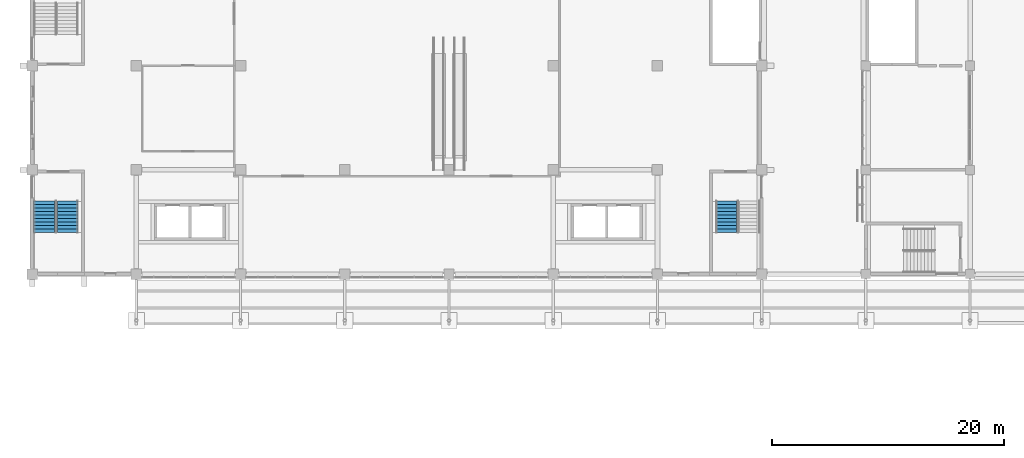
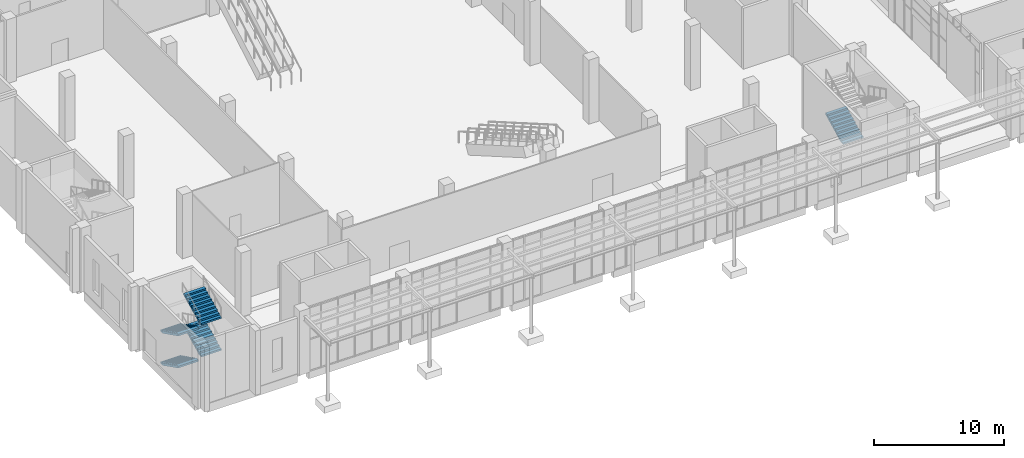
# One storey, part 67 of 86: 5 stair flights, 2 elements without a shape of their own.
"""IFC4 building model written with IfcOpenShell, lengths in metres."""

from ifc_helpers import new_model, si_unit, direction, frame, origin, place, context, subcontext, project, spatial, faceted_brep, material, type_object, element, aggregate, save


model = new_model("IFC4")

# Units and contexts
model_context = context("Model", 3, precision=1e-05, world=origin(), true_north=direction((0.0, 1.0)))
body_context = subcontext(model_context, "Body", "Model", "MODEL_VIEW")
ifc_project = project(units=[si_unit("LENGTHUNIT", "METRE"), si_unit("AREAUNIT", "SQUARE_METRE"), si_unit("VOLUMEUNIT", "CUBIC_METRE"), si_unit("PLANEANGLEUNIT", "RADIAN"), si_unit("MASSUNIT", "GRAM", prefix="KILO")], contexts=[model_context])

# Site, building, storey
site_placement = place(None, origin())
site = spatial("IfcSite", under=ifc_project, at=site_placement, CompositionType="ELEMENT")
building_placement = place(site_placement, origin())
building = spatial("IfcBuilding", under=site, at=building_placement, Name="Guidao Yard Department Store", CompositionType="ELEMENT")
storey_placement = place(building_placement, origin())
storey = spatial("IfcBuildingStorey", under=building, at=storey_placement, Name="L00", CompositionType="ELEMENT", Elevation=0.0)

# Stair, stair flight
ifc_material_1 = material(Name="Concrete C35", Category="concrete")
stair_type = type_object("IfcStairType", Name="Stair double-return four-flight 1800 wide 6.0 m rise", PredefinedType="DOUBLE_RETURN_STAIR", material=ifc_material_1)
stair_1_placement = place(storey_placement, origin())
stair_1 = element("IfcStair", 1, at=stair_1_placement, inside=storey, type_object=stair_type, Name="Stair A2 L00 to L01", PredefinedType="DOUBLE_RETURN_STAIR")
ifc_material_2 = material(Name="Concrete C35", Category="concrete")
stair_flight_type = type_object("IfcStairFlightType", Name="Stair flight RC straight 1800 wide 10 risers x 300 going C35", PredefinedType="STRAIGHT", material=ifc_material_2)
stair_flight_1_placement = place(storey_placement, frame((59.925048828125, 48.60009765625, 1.5), z_axis=(0.0, 0.0, 1.0), x_axis=(0.0, 1.0, 0.0)))
stair_flight_1 = element("IfcStairFlight", 2, at=stair_flight_1_placement, type_object=stair_flight_type, Name="SA2-L00 flight 2", NumberOfRisers=10, NumberOfTreads=9, PredefinedType="STRAIGHT", RiserHeight=0.15, TreadLength=0.3, context=body_context, shape_type="Brep", body=[
    faceted_brep([(0.0, 0.89990234375, 0.0), (0.0, 0.89990234375, 0.14990234375), (0.300048828125, 0.89990234375, 0.14990234375), (0.300048828125, 0.89990234375, 0.300048828125), (0.60009765625, 0.89990234375, 0.300048828125), (0.60009765625, 0.89990234375, 0.449951171875), (0.89990234375, 0.89990234375, 0.449951171875), (0.89990234375, 0.89990234375, 0.60009765625), (1.199951171875, 0.89990234375, 0.60009765625), (1.199951171875, 0.89990234375, 0.75), (1.5, 0.89990234375, 0.75), (1.5, 0.89990234375, 0.89990234375), (1.800048828125, 0.89990234375, 0.89990234375), (1.800048828125, 0.89990234375, 1.050048828125), (2.10009765625, 0.89990234375, 1.050048828125), (2.10009765625, 0.89990234375, 1.199951171875), (2.39990234375, 0.89990234375, 1.199951171875), (2.39990234375, 0.89990234375, 1.35009765625), (2.699951171875, 0.89990234375, 1.35009765625), (2.699951171875, 0.89990234375, 1.182373046875), (0.335205078125, 0.89990234375, 0.0), (0.335205078125, -0.89990234375, 0.0), (2.699951171875, -0.89990234375, 1.182373046875), (2.699951171875, -0.89990234375, 1.35009765625), (2.39990234375, -0.89990234375, 1.35009765625), (2.39990234375, -0.89990234375, 1.199951171875), (2.10009765625, -0.89990234375, 1.199951171875), (2.10009765625, -0.89990234375, 1.050048828125), (1.800048828125, -0.89990234375, 1.050048828125), (1.800048828125, -0.89990234375, 0.89990234375), (1.5, -0.89990234375, 0.89990234375), (1.5, -0.89990234375, 0.75), (1.199951171875, -0.89990234375, 0.75), (1.199951171875, -0.89990234375, 0.60009765625), (0.89990234375, -0.89990234375, 0.60009765625), (0.89990234375, -0.89990234375, 0.449951171875), (0.60009765625, -0.89990234375, 0.449951171875), (0.60009765625, -0.89990234375, 0.300048828125), (0.300048828125, -0.89990234375, 0.300048828125), (0.300048828125, -0.89990234375, 0.14990234375), (0.0, -0.89990234375, 0.14990234375), (0.0, -0.89990234375, 0.0), (0.0, 0.300048828125, 0.0), (0.0, 0.300048828125, 0.14990234375), (0.0, -0.300048828125, 0.0), (0.0, -0.300048828125, 0.14990234375), (0.300048828125, 0.300048828125, 0.14990234375), (0.300048828125, -0.300048828125, 0.14990234375), (0.300048828125, 0.300048828125, 0.300048828125), (0.300048828125, -0.300048828125, 0.300048828125), (0.60009765625, 0.300048828125, 0.300048828125), (0.60009765625, -0.300048828125, 0.300048828125), (0.60009765625, 0.300048828125, 0.449951171875), (0.60009765625, -0.300048828125, 0.449951171875), (0.89990234375, 0.300048828125, 0.449951171875), (0.89990234375, -0.300048828125, 0.449951171875), (0.89990234375, 0.300048828125, 0.60009765625), (0.89990234375, -0.300048828125, 0.60009765625), (1.199951171875, 0.300048828125, 0.60009765625), (1.199951171875, -0.300048828125, 0.60009765625), (1.199951171875, 0.300048828125, 0.75), (1.199951171875, -0.300048828125, 0.75), (1.5, 0.300048828125, 0.75), (1.5, -0.300048828125, 0.75), (1.5, 0.300048828125, 0.89990234375), (1.5, -0.300048828125, 0.89990234375), (1.800048828125, 0.300048828125, 0.89990234375), (1.800048828125, -0.300048828125, 0.89990234375), (1.800048828125, 0.300048828125, 1.050048828125), (1.800048828125, -0.300048828125, 1.050048828125), (2.10009765625, 0.300048828125, 1.050048828125), (2.10009765625, -0.300048828125, 1.050048828125), (2.10009765625, 0.300048828125, 1.199951171875), (2.10009765625, -0.300048828125, 1.199951171875), (2.39990234375, 0.300048828125, 1.199951171875), (2.39990234375, -0.300048828125, 1.199951171875), (2.39990234375, 0.300048828125, 1.35009765625), (2.39990234375, -0.300048828125, 1.35009765625), (2.699951171875, 0.300048828125, 1.35009765625), (2.699951171875, -0.300048828125, 1.35009765625), (2.699951171875, 0.300048828125, 1.182373046875), (2.699951171875, -0.300048828125, 1.182373046875), (0.335205078125, 0.300048828125, 0.0), (0.335205078125, -0.300048828125, 0.0)], [[[0, 1, 2, 3, 4, 5, 6, 7, 8, 9, 10, 11, 12, 13, 14, 15, 16, 17, 18, 19, 20]], [[21, 22, 23, 24, 25, 26, 27, 28, 29, 30, 31, 32, 33, 34, 35, 36, 37, 38, 39, 40, 41]], [[42, 43, 1, 0]], [[44, 45, 43, 42]], [[41, 40, 45, 44]], [[43, 46, 2, 1]], [[45, 47, 46, 43]], [[40, 39, 47, 45]], [[46, 48, 3, 2]], [[47, 49, 48, 46]], [[39, 38, 49, 47]], [[48, 50, 4, 3]], [[49, 51, 50, 48]], [[38, 37, 51, 49]], [[50, 52, 5, 4]], [[51, 53, 52, 50]], [[37, 36, 53, 51]], [[52, 54, 6, 5]], [[53, 55, 54, 52]], [[36, 35, 55, 53]], [[54, 56, 7, 6]], [[55, 57, 56, 54]], [[35, 34, 57, 55]], [[56, 58, 8, 7]], [[57, 59, 58, 56]], [[34, 33, 59, 57]], [[58, 60, 9, 8]], [[59, 61, 60, 58]], [[33, 32, 61, 59]], [[60, 62, 10, 9]], [[61, 63, 62, 60]], [[32, 31, 63, 61]], [[62, 64, 11, 10]], [[63, 65, 64, 62]], [[31, 30, 65, 63]], [[64, 66, 12, 11]], [[65, 67, 66, 64]], [[30, 29, 67, 65]], [[66, 68, 13, 12]], [[67, 69, 68, 66]], [[29, 28, 69, 67]], [[68, 70, 14, 13]], [[69, 71, 70, 68]], [[28, 27, 71, 69]], [[70, 72, 15, 14]], [[71, 73, 72, 70]], [[27, 26, 73, 71]], [[72, 74, 16, 15]], [[73, 75, 74, 72]], [[26, 25, 75, 73]], [[74, 76, 17, 16]], [[75, 77, 76, 74]], [[25, 24, 77, 75]], [[76, 78, 18, 17]], [[77, 79, 78, 76]], [[24, 23, 79, 77]], [[78, 80, 19, 18]], [[79, 81, 80, 78]], [[23, 22, 81, 79]], [[80, 82, 20, 19]], [[81, 83, 82, 80]], [[22, 21, 83, 81]], [[82, 42, 0, 20]], [[83, 44, 42, 82]], [[21, 41, 44, 83]]]),
])
aggregate(stair_1, [stair_flight_1])

# Stair, stair flights
stair_2_placement = place(storey_placement, origin())
stair_2 = element("IfcStair", 3, at=stair_2_placement, inside=storey, type_object=stair_type, Name="Stair A8 L00 to L01", PredefinedType="DOUBLE_RETURN_STAIR")
stair_flight_2_placement = place(storey_placement, frame((1.02490234375, 51.300048828125, 0.0), z_axis=(0.0, 0.0, 1.0), x_axis=(0.0, -1.0, 0.0)))
stair_flight_2 = element("IfcStairFlight", 4, at=stair_flight_2_placement, type_object=stair_flight_type, Name="SA8-L00 flight 1", NumberOfRisers=10, NumberOfTreads=9, PredefinedType="STRAIGHT", RiserHeight=0.15, TreadLength=0.3, context=body_context, shape_type="Brep", body=[
    faceted_brep([(0.0, 0.89990234375, 0.0), (0.0, 0.89990234375, 0.14990234375), (0.300048828125, 0.89990234375, 0.14990234375), (0.300048828125, 0.89990234375, 0.300048828125), (0.60009765625, 0.89990234375, 0.300048828125), (0.60009765625, 0.89990234375, 0.449951171875), (0.89990234375, 0.89990234375, 0.449951171875), (0.89990234375, 0.89990234375, 0.60009765625), (1.199951171875, 0.89990234375, 0.60009765625), (1.199951171875, 0.89990234375, 0.75), (1.5, 0.89990234375, 0.75), (1.5, 0.89990234375, 0.89990234375), (1.800048828125, 0.89990234375, 0.89990234375), (1.800048828125, 0.89990234375, 1.050048828125), (2.10009765625, 0.89990234375, 1.050048828125), (2.10009765625, 0.89990234375, 1.199951171875), (2.39990234375, 0.89990234375, 1.199951171875), (2.39990234375, 0.89990234375, 1.35009765625), (2.699951171875, 0.89990234375, 1.35009765625), (2.699951171875, 0.89990234375, 1.182373046875), (0.335205078125, 0.89990234375, 0.0), (0.335205078125, -0.89990234375, 0.0), (2.699951171875, -0.89990234375, 1.182373046875), (2.699951171875, -0.89990234375, 1.35009765625), (2.39990234375, -0.89990234375, 1.35009765625), (2.39990234375, -0.89990234375, 1.199951171875), (2.10009765625, -0.89990234375, 1.199951171875), (2.10009765625, -0.89990234375, 1.050048828125), (1.800048828125, -0.89990234375, 1.050048828125), (1.800048828125, -0.89990234375, 0.89990234375), (1.5, -0.89990234375, 0.89990234375), (1.5, -0.89990234375, 0.75), (1.199951171875, -0.89990234375, 0.75), (1.199951171875, -0.89990234375, 0.60009765625), (0.89990234375, -0.89990234375, 0.60009765625), (0.89990234375, -0.89990234375, 0.449951171875), (0.60009765625, -0.89990234375, 0.449951171875), (0.60009765625, -0.89990234375, 0.300048828125), (0.300048828125, -0.89990234375, 0.300048828125), (0.300048828125, -0.89990234375, 0.14990234375), (0.0, -0.89990234375, 0.14990234375), (0.0, -0.89990234375, 0.0), (0.0, 0.300048828125, 0.0), (0.0, 0.300048828125, 0.14990234375), (0.0, -0.300048828125, 0.0), (0.0, -0.300048828125, 0.14990234375), (0.300048828125, 0.300048828125, 0.14990234375), (0.300048828125, -0.300048828125, 0.14990234375), (0.300048828125, 0.300048828125, 0.300048828125), (0.300048828125, -0.300048828125, 0.300048828125), (0.60009765625, 0.300048828125, 0.300048828125), (0.60009765625, -0.300048828125, 0.300048828125), (0.60009765625, 0.300048828125, 0.449951171875), (0.60009765625, -0.300048828125, 0.449951171875), (0.89990234375, 0.300048828125, 0.449951171875), (0.89990234375, -0.300048828125, 0.449951171875), (0.89990234375, 0.300048828125, 0.60009765625), (0.89990234375, -0.300048828125, 0.60009765625), (1.199951171875, 0.300048828125, 0.60009765625), (1.199951171875, -0.300048828125, 0.60009765625), (1.199951171875, 0.300048828125, 0.75), (1.199951171875, -0.300048828125, 0.75), (1.5, 0.300048828125, 0.75), (1.5, -0.300048828125, 0.75), (1.5, 0.300048828125, 0.89990234375), (1.5, -0.300048828125, 0.89990234375), (1.800048828125, 0.300048828125, 0.89990234375), (1.800048828125, -0.300048828125, 0.89990234375), (1.800048828125, 0.300048828125, 1.050048828125), (1.800048828125, -0.300048828125, 1.050048828125), (2.10009765625, 0.300048828125, 1.050048828125), (2.10009765625, -0.300048828125, 1.050048828125), (2.10009765625, 0.300048828125, 1.199951171875), (2.10009765625, -0.300048828125, 1.199951171875), (2.39990234375, 0.300048828125, 1.199951171875), (2.39990234375, -0.300048828125, 1.199951171875), (2.39990234375, 0.300048828125, 1.35009765625), (2.39990234375, -0.300048828125, 1.35009765625), (2.699951171875, 0.300048828125, 1.35009765625), (2.699951171875, -0.300048828125, 1.35009765625), (2.699951171875, 0.300048828125, 1.182373046875), (2.699951171875, -0.300048828125, 1.182373046875), (0.335205078125, 0.300048828125, 0.0), (0.335205078125, -0.300048828125, 0.0)], [[[0, 1, 2, 3, 4, 5, 6, 7, 8, 9, 10, 11, 12, 13, 14, 15, 16, 17, 18, 19, 20]], [[21, 22, 23, 24, 25, 26, 27, 28, 29, 30, 31, 32, 33, 34, 35, 36, 37, 38, 39, 40, 41]], [[42, 43, 1, 0]], [[44, 45, 43, 42]], [[41, 40, 45, 44]], [[43, 46, 2, 1]], [[45, 47, 46, 43]], [[40, 39, 47, 45]], [[46, 48, 3, 2]], [[47, 49, 48, 46]], [[39, 38, 49, 47]], [[48, 50, 4, 3]], [[49, 51, 50, 48]], [[38, 37, 51, 49]], [[50, 52, 5, 4]], [[51, 53, 52, 50]], [[37, 36, 53, 51]], [[52, 54, 6, 5]], [[53, 55, 54, 52]], [[36, 35, 55, 53]], [[54, 56, 7, 6]], [[55, 57, 56, 54]], [[35, 34, 57, 55]], [[56, 58, 8, 7]], [[57, 59, 58, 56]], [[34, 33, 59, 57]], [[58, 60, 9, 8]], [[59, 61, 60, 58]], [[33, 32, 61, 59]], [[60, 62, 10, 9]], [[61, 63, 62, 60]], [[32, 31, 63, 61]], [[62, 64, 11, 10]], [[63, 65, 64, 62]], [[31, 30, 65, 63]], [[64, 66, 12, 11]], [[65, 67, 66, 64]], [[30, 29, 67, 65]], [[66, 68, 13, 12]], [[67, 69, 68, 66]], [[29, 28, 69, 67]], [[68, 70, 14, 13]], [[69, 71, 70, 68]], [[28, 27, 71, 69]], [[70, 72, 15, 14]], [[71, 73, 72, 70]], [[27, 26, 73, 71]], [[72, 74, 16, 15]], [[73, 75, 74, 72]], [[26, 25, 75, 73]], [[74, 76, 17, 16]], [[75, 77, 76, 74]], [[25, 24, 77, 75]], [[76, 78, 18, 17]], [[77, 79, 78, 76]], [[24, 23, 79, 77]], [[78, 80, 19, 18]], [[79, 81, 80, 78]], [[23, 22, 81, 79]], [[80, 82, 20, 19]], [[81, 83, 82, 80]], [[22, 21, 83, 81]], [[82, 42, 0, 20]], [[83, 44, 42, 82]], [[21, 41, 44, 83]]]),
])
stair_flight_3_placement = place(storey_placement, frame((3.074951171875, 48.60009765625, 1.5), z_axis=(0.0, 0.0, 1.0), x_axis=(0.0, 1.0, 0.0)))
stair_flight_3 = element("IfcStairFlight", 5, at=stair_flight_3_placement, type_object=stair_flight_type, Name="SA8-L00 flight 2", NumberOfRisers=10, NumberOfTreads=9, PredefinedType="STRAIGHT", RiserHeight=0.15, TreadLength=0.3, context=body_context, shape_type="Brep", body=[
    faceted_brep([(0.0, 0.89990234375, 0.0), (0.0, 0.89990234375, 0.14990234375), (0.300048828125, 0.89990234375, 0.14990234375), (0.300048828125, 0.89990234375, 0.300048828125), (0.60009765625, 0.89990234375, 0.300048828125), (0.60009765625, 0.89990234375, 0.449951171875), (0.89990234375, 0.89990234375, 0.449951171875), (0.89990234375, 0.89990234375, 0.60009765625), (1.199951171875, 0.89990234375, 0.60009765625), (1.199951171875, 0.89990234375, 0.75), (1.5, 0.89990234375, 0.75), (1.5, 0.89990234375, 0.89990234375), (1.800048828125, 0.89990234375, 0.89990234375), (1.800048828125, 0.89990234375, 1.050048828125), (2.10009765625, 0.89990234375, 1.050048828125), (2.10009765625, 0.89990234375, 1.199951171875), (2.39990234375, 0.89990234375, 1.199951171875), (2.39990234375, 0.89990234375, 1.35009765625), (2.699951171875, 0.89990234375, 1.35009765625), (2.699951171875, 0.89990234375, 1.182373046875), (0.335205078125, 0.89990234375, 0.0), (0.335205078125, -0.89990234375, 0.0), (2.699951171875, -0.89990234375, 1.182373046875), (2.699951171875, -0.89990234375, 1.35009765625), (2.39990234375, -0.89990234375, 1.35009765625), (2.39990234375, -0.89990234375, 1.199951171875), (2.10009765625, -0.89990234375, 1.199951171875), (2.10009765625, -0.89990234375, 1.050048828125), (1.800048828125, -0.89990234375, 1.050048828125), (1.800048828125, -0.89990234375, 0.89990234375), (1.5, -0.89990234375, 0.89990234375), (1.5, -0.89990234375, 0.75), (1.199951171875, -0.89990234375, 0.75), (1.199951171875, -0.89990234375, 0.60009765625), (0.89990234375, -0.89990234375, 0.60009765625), (0.89990234375, -0.89990234375, 0.449951171875), (0.60009765625, -0.89990234375, 0.449951171875), (0.60009765625, -0.89990234375, 0.300048828125), (0.300048828125, -0.89990234375, 0.300048828125), (0.300048828125, -0.89990234375, 0.14990234375), (0.0, -0.89990234375, 0.14990234375), (0.0, -0.89990234375, 0.0), (0.0, 0.300048828125, 0.0), (0.0, 0.300048828125, 0.14990234375), (0.0, -0.300048828125, 0.0), (0.0, -0.300048828125, 0.14990234375), (0.300048828125, 0.300048828125, 0.14990234375), (0.300048828125, -0.300048828125, 0.14990234375), (0.300048828125, 0.300048828125, 0.300048828125), (0.300048828125, -0.300048828125, 0.300048828125), (0.60009765625, 0.300048828125, 0.300048828125), (0.60009765625, -0.300048828125, 0.300048828125), (0.60009765625, 0.300048828125, 0.449951171875), (0.60009765625, -0.300048828125, 0.449951171875), (0.89990234375, 0.300048828125, 0.449951171875), (0.89990234375, -0.300048828125, 0.449951171875), (0.89990234375, 0.300048828125, 0.60009765625), (0.89990234375, -0.300048828125, 0.60009765625), (1.199951171875, 0.300048828125, 0.60009765625), (1.199951171875, -0.300048828125, 0.60009765625), (1.199951171875, 0.300048828125, 0.75), (1.199951171875, -0.300048828125, 0.75), (1.5, 0.300048828125, 0.75), (1.5, -0.300048828125, 0.75), (1.5, 0.300048828125, 0.89990234375), (1.5, -0.300048828125, 0.89990234375), (1.800048828125, 0.300048828125, 0.89990234375), (1.800048828125, -0.300048828125, 0.89990234375), (1.800048828125, 0.300048828125, 1.050048828125), (1.800048828125, -0.300048828125, 1.050048828125), (2.10009765625, 0.300048828125, 1.050048828125), (2.10009765625, -0.300048828125, 1.050048828125), (2.10009765625, 0.300048828125, 1.199951171875), (2.10009765625, -0.300048828125, 1.199951171875), (2.39990234375, 0.300048828125, 1.199951171875), (2.39990234375, -0.300048828125, 1.199951171875), (2.39990234375, 0.300048828125, 1.35009765625), (2.39990234375, -0.300048828125, 1.35009765625), (2.699951171875, 0.300048828125, 1.35009765625), (2.699951171875, -0.300048828125, 1.35009765625), (2.699951171875, 0.300048828125, 1.182373046875), (2.699951171875, -0.300048828125, 1.182373046875), (0.335205078125, 0.300048828125, 0.0), (0.335205078125, -0.300048828125, 0.0)], [[[0, 1, 2, 3, 4, 5, 6, 7, 8, 9, 10, 11, 12, 13, 14, 15, 16, 17, 18, 19, 20]], [[21, 22, 23, 24, 25, 26, 27, 28, 29, 30, 31, 32, 33, 34, 35, 36, 37, 38, 39, 40, 41]], [[42, 43, 1, 0]], [[44, 45, 43, 42]], [[41, 40, 45, 44]], [[43, 46, 2, 1]], [[45, 47, 46, 43]], [[40, 39, 47, 45]], [[46, 48, 3, 2]], [[47, 49, 48, 46]], [[39, 38, 49, 47]], [[48, 50, 4, 3]], [[49, 51, 50, 48]], [[38, 37, 51, 49]], [[50, 52, 5, 4]], [[51, 53, 52, 50]], [[37, 36, 53, 51]], [[52, 54, 6, 5]], [[53, 55, 54, 52]], [[36, 35, 55, 53]], [[54, 56, 7, 6]], [[55, 57, 56, 54]], [[35, 34, 57, 55]], [[56, 58, 8, 7]], [[57, 59, 58, 56]], [[34, 33, 59, 57]], [[58, 60, 9, 8]], [[59, 61, 60, 58]], [[33, 32, 61, 59]], [[60, 62, 10, 9]], [[61, 63, 62, 60]], [[32, 31, 63, 61]], [[62, 64, 11, 10]], [[63, 65, 64, 62]], [[31, 30, 65, 63]], [[64, 66, 12, 11]], [[65, 67, 66, 64]], [[30, 29, 67, 65]], [[66, 68, 13, 12]], [[67, 69, 68, 66]], [[29, 28, 69, 67]], [[68, 70, 14, 13]], [[69, 71, 70, 68]], [[28, 27, 71, 69]], [[70, 72, 15, 14]], [[71, 73, 72, 70]], [[27, 26, 73, 71]], [[72, 74, 16, 15]], [[73, 75, 74, 72]], [[26, 25, 75, 73]], [[74, 76, 17, 16]], [[75, 77, 76, 74]], [[25, 24, 77, 75]], [[76, 78, 18, 17]], [[77, 79, 78, 76]], [[24, 23, 79, 77]], [[78, 80, 19, 18]], [[79, 81, 80, 78]], [[23, 22, 81, 79]], [[80, 82, 20, 19]], [[81, 83, 82, 80]], [[22, 21, 83, 81]], [[82, 42, 0, 20]], [[83, 44, 42, 82]], [[21, 41, 44, 83]]]),
])
stair_flight_4_placement = place(storey_placement, frame((1.02490234375, 51.300048828125, 3.0), z_axis=(0.0, 0.0, 1.0), x_axis=(0.0, -1.0, 0.0)))
stair_flight_4 = element("IfcStairFlight", 6, at=stair_flight_4_placement, type_object=stair_flight_type, Name="SA8-L00 flight 3", NumberOfRisers=10, NumberOfTreads=9, PredefinedType="STRAIGHT", RiserHeight=0.15, TreadLength=0.3, context=body_context, shape_type="Brep", body=[
    faceted_brep([(0.0, 0.89990234375, 0.0), (0.0, 0.89990234375, 0.14990234375), (0.300048828125, 0.89990234375, 0.14990234375), (0.300048828125, 0.89990234375, 0.300048828125), (0.60009765625, 0.89990234375, 0.300048828125), (0.60009765625, 0.89990234375, 0.449951171875), (0.89990234375, 0.89990234375, 0.449951171875), (0.89990234375, 0.89990234375, 0.60009765625), (1.199951171875, 0.89990234375, 0.60009765625), (1.199951171875, 0.89990234375, 0.75), (1.5, 0.89990234375, 0.75), (1.5, 0.89990234375, 0.89990234375), (1.800048828125, 0.89990234375, 0.89990234375), (1.800048828125, 0.89990234375, 1.050048828125), (2.10009765625, 0.89990234375, 1.050048828125), (2.10009765625, 0.89990234375, 1.199951171875), (2.39990234375, 0.89990234375, 1.199951171875), (2.39990234375, 0.89990234375, 1.35009765625), (2.699951171875, 0.89990234375, 1.35009765625), (2.699951171875, 0.89990234375, 1.182373046875), (0.335205078125, 0.89990234375, 0.0), (0.335205078125, -0.89990234375, 0.0), (2.699951171875, -0.89990234375, 1.182373046875), (2.699951171875, -0.89990234375, 1.35009765625), (2.39990234375, -0.89990234375, 1.35009765625), (2.39990234375, -0.89990234375, 1.199951171875), (2.10009765625, -0.89990234375, 1.199951171875), (2.10009765625, -0.89990234375, 1.050048828125), (1.800048828125, -0.89990234375, 1.050048828125), (1.800048828125, -0.89990234375, 0.89990234375), (1.5, -0.89990234375, 0.89990234375), (1.5, -0.89990234375, 0.75), (1.199951171875, -0.89990234375, 0.75), (1.199951171875, -0.89990234375, 0.60009765625), (0.89990234375, -0.89990234375, 0.60009765625), (0.89990234375, -0.89990234375, 0.449951171875), (0.60009765625, -0.89990234375, 0.449951171875), (0.60009765625, -0.89990234375, 0.300048828125), (0.300048828125, -0.89990234375, 0.300048828125), (0.300048828125, -0.89990234375, 0.14990234375), (0.0, -0.89990234375, 0.14990234375), (0.0, -0.89990234375, 0.0), (0.0, 0.300048828125, 0.0), (0.0, 0.300048828125, 0.14990234375), (0.0, -0.300048828125, 0.0), (0.0, -0.300048828125, 0.14990234375), (0.300048828125, 0.300048828125, 0.14990234375), (0.300048828125, -0.300048828125, 0.14990234375), (0.300048828125, 0.300048828125, 0.300048828125), (0.300048828125, -0.300048828125, 0.300048828125), (0.60009765625, 0.300048828125, 0.300048828125), (0.60009765625, -0.300048828125, 0.300048828125), (0.60009765625, 0.300048828125, 0.449951171875), (0.60009765625, -0.300048828125, 0.449951171875), (0.89990234375, 0.300048828125, 0.449951171875), (0.89990234375, -0.300048828125, 0.449951171875), (0.89990234375, 0.300048828125, 0.60009765625), (0.89990234375, -0.300048828125, 0.60009765625), (1.199951171875, 0.300048828125, 0.60009765625), (1.199951171875, -0.300048828125, 0.60009765625), (1.199951171875, 0.300048828125, 0.75), (1.199951171875, -0.300048828125, 0.75), (1.5, 0.300048828125, 0.75), (1.5, -0.300048828125, 0.75), (1.5, 0.300048828125, 0.89990234375), (1.5, -0.300048828125, 0.89990234375), (1.800048828125, 0.300048828125, 0.89990234375), (1.800048828125, -0.300048828125, 0.89990234375), (1.800048828125, 0.300048828125, 1.050048828125), (1.800048828125, -0.300048828125, 1.050048828125), (2.10009765625, 0.300048828125, 1.050048828125), (2.10009765625, -0.300048828125, 1.050048828125), (2.10009765625, 0.300048828125, 1.199951171875), (2.10009765625, -0.300048828125, 1.199951171875), (2.39990234375, 0.300048828125, 1.199951171875), (2.39990234375, -0.300048828125, 1.199951171875), (2.39990234375, 0.300048828125, 1.35009765625), (2.39990234375, -0.300048828125, 1.35009765625), (2.699951171875, 0.300048828125, 1.35009765625), (2.699951171875, -0.300048828125, 1.35009765625), (2.699951171875, 0.300048828125, 1.182373046875), (2.699951171875, -0.300048828125, 1.182373046875), (0.335205078125, 0.300048828125, 0.0), (0.335205078125, -0.300048828125, 0.0)], [[[0, 1, 2, 3, 4, 5, 6, 7, 8, 9, 10, 11, 12, 13, 14, 15, 16, 17, 18, 19, 20]], [[21, 22, 23, 24, 25, 26, 27, 28, 29, 30, 31, 32, 33, 34, 35, 36, 37, 38, 39, 40, 41]], [[42, 43, 1, 0]], [[44, 45, 43, 42]], [[41, 40, 45, 44]], [[43, 46, 2, 1]], [[45, 47, 46, 43]], [[40, 39, 47, 45]], [[46, 48, 3, 2]], [[47, 49, 48, 46]], [[39, 38, 49, 47]], [[48, 50, 4, 3]], [[49, 51, 50, 48]], [[38, 37, 51, 49]], [[50, 52, 5, 4]], [[51, 53, 52, 50]], [[37, 36, 53, 51]], [[52, 54, 6, 5]], [[53, 55, 54, 52]], [[36, 35, 55, 53]], [[54, 56, 7, 6]], [[55, 57, 56, 54]], [[35, 34, 57, 55]], [[56, 58, 8, 7]], [[57, 59, 58, 56]], [[34, 33, 59, 57]], [[58, 60, 9, 8]], [[59, 61, 60, 58]], [[33, 32, 61, 59]], [[60, 62, 10, 9]], [[61, 63, 62, 60]], [[32, 31, 63, 61]], [[62, 64, 11, 10]], [[63, 65, 64, 62]], [[31, 30, 65, 63]], [[64, 66, 12, 11]], [[65, 67, 66, 64]], [[30, 29, 67, 65]], [[66, 68, 13, 12]], [[67, 69, 68, 66]], [[29, 28, 69, 67]], [[68, 70, 14, 13]], [[69, 71, 70, 68]], [[28, 27, 71, 69]], [[70, 72, 15, 14]], [[71, 73, 72, 70]], [[27, 26, 73, 71]], [[72, 74, 16, 15]], [[73, 75, 74, 72]], [[26, 25, 75, 73]], [[74, 76, 17, 16]], [[75, 77, 76, 74]], [[25, 24, 77, 75]], [[76, 78, 18, 17]], [[77, 79, 78, 76]], [[24, 23, 79, 77]], [[78, 80, 19, 18]], [[79, 81, 80, 78]], [[23, 22, 81, 79]], [[80, 82, 20, 19]], [[81, 83, 82, 80]], [[22, 21, 83, 81]], [[82, 42, 0, 20]], [[83, 44, 42, 82]], [[21, 41, 44, 83]]]),
])
stair_flight_5_placement = place(storey_placement, frame((3.074951171875, 48.60009765625, 4.5), z_axis=(0.0, 0.0, 1.0), x_axis=(0.0, 1.0, 0.0)))
stair_flight_5 = element("IfcStairFlight", 7, at=stair_flight_5_placement, type_object=stair_flight_type, Name="SA8-L00 flight 4", NumberOfRisers=10, NumberOfTreads=9, PredefinedType="STRAIGHT", RiserHeight=0.15, TreadLength=0.3, context=body_context, shape_type="Brep", body=[
    faceted_brep([(0.0, 0.89990234375, 0.0), (0.0, 0.89990234375, 0.14990234375), (0.300048828125, 0.89990234375, 0.14990234375), (0.300048828125, 0.89990234375, 0.300048828125), (0.60009765625, 0.89990234375, 0.300048828125), (0.60009765625, 0.89990234375, 0.449951171875), (0.89990234375, 0.89990234375, 0.449951171875), (0.89990234375, 0.89990234375, 0.60009765625), (1.199951171875, 0.89990234375, 0.60009765625), (1.199951171875, 0.89990234375, 0.75), (1.5, 0.89990234375, 0.75), (1.5, 0.89990234375, 0.89990234375), (1.800048828125, 0.89990234375, 0.89990234375), (1.800048828125, 0.89990234375, 1.050048828125), (2.10009765625, 0.89990234375, 1.050048828125), (2.10009765625, 0.89990234375, 1.199951171875), (2.39990234375, 0.89990234375, 1.199951171875), (2.39990234375, 0.89990234375, 1.35009765625), (2.699951171875, 0.89990234375, 1.35009765625), (2.699951171875, 0.89990234375, 1.182373046875), (0.335205078125, 0.89990234375, 0.0), (0.335205078125, -0.89990234375, 0.0), (2.699951171875, -0.89990234375, 1.182373046875), (2.699951171875, -0.89990234375, 1.35009765625), (2.39990234375, -0.89990234375, 1.35009765625), (2.39990234375, -0.89990234375, 1.199951171875), (2.10009765625, -0.89990234375, 1.199951171875), (2.10009765625, -0.89990234375, 1.050048828125), (1.800048828125, -0.89990234375, 1.050048828125), (1.800048828125, -0.89990234375, 0.89990234375), (1.5, -0.89990234375, 0.89990234375), (1.5, -0.89990234375, 0.75), (1.199951171875, -0.89990234375, 0.75), (1.199951171875, -0.89990234375, 0.60009765625), (0.89990234375, -0.89990234375, 0.60009765625), (0.89990234375, -0.89990234375, 0.449951171875), (0.60009765625, -0.89990234375, 0.449951171875), (0.60009765625, -0.89990234375, 0.300048828125), (0.300048828125, -0.89990234375, 0.300048828125), (0.300048828125, -0.89990234375, 0.14990234375), (0.0, -0.89990234375, 0.14990234375), (0.0, -0.89990234375, 0.0), (0.0, 0.300048828125, 0.0), (0.0, 0.300048828125, 0.14990234375), (0.0, -0.300048828125, 0.0), (0.0, -0.300048828125, 0.14990234375), (0.300048828125, 0.300048828125, 0.14990234375), (0.300048828125, -0.300048828125, 0.14990234375), (0.300048828125, 0.300048828125, 0.300048828125), (0.300048828125, -0.300048828125, 0.300048828125), (0.60009765625, 0.300048828125, 0.300048828125), (0.60009765625, -0.300048828125, 0.300048828125), (0.60009765625, 0.300048828125, 0.449951171875), (0.60009765625, -0.300048828125, 0.449951171875), (0.89990234375, 0.300048828125, 0.449951171875), (0.89990234375, -0.300048828125, 0.449951171875), (0.89990234375, 0.300048828125, 0.60009765625), (0.89990234375, -0.300048828125, 0.60009765625), (1.199951171875, 0.300048828125, 0.60009765625), (1.199951171875, -0.300048828125, 0.60009765625), (1.199951171875, 0.300048828125, 0.75), (1.199951171875, -0.300048828125, 0.75), (1.5, 0.300048828125, 0.75), (1.5, -0.300048828125, 0.75), (1.5, 0.300048828125, 0.89990234375), (1.5, -0.300048828125, 0.89990234375), (1.800048828125, 0.300048828125, 0.89990234375), (1.800048828125, -0.300048828125, 0.89990234375), (1.800048828125, 0.300048828125, 1.050048828125), (1.800048828125, -0.300048828125, 1.050048828125), (2.10009765625, 0.300048828125, 1.050048828125), (2.10009765625, -0.300048828125, 1.050048828125), (2.10009765625, 0.300048828125, 1.199951171875), (2.10009765625, -0.300048828125, 1.199951171875), (2.39990234375, 0.300048828125, 1.199951171875), (2.39990234375, -0.300048828125, 1.199951171875), (2.39990234375, 0.300048828125, 1.35009765625), (2.39990234375, -0.300048828125, 1.35009765625), (2.699951171875, 0.300048828125, 1.35009765625), (2.699951171875, -0.300048828125, 1.35009765625), (2.699951171875, 0.300048828125, 1.182373046875), (2.699951171875, -0.300048828125, 1.182373046875), (0.335205078125, 0.300048828125, 0.0), (0.335205078125, -0.300048828125, 0.0)], [[[0, 1, 2, 3, 4, 5, 6, 7, 8, 9, 10, 11, 12, 13, 14, 15, 16, 17, 18, 19, 20]], [[21, 22, 23, 24, 25, 26, 27, 28, 29, 30, 31, 32, 33, 34, 35, 36, 37, 38, 39, 40, 41]], [[42, 43, 1, 0]], [[44, 45, 43, 42]], [[41, 40, 45, 44]], [[43, 46, 2, 1]], [[45, 47, 46, 43]], [[40, 39, 47, 45]], [[46, 48, 3, 2]], [[47, 49, 48, 46]], [[39, 38, 49, 47]], [[48, 50, 4, 3]], [[49, 51, 50, 48]], [[38, 37, 51, 49]], [[50, 52, 5, 4]], [[51, 53, 52, 50]], [[37, 36, 53, 51]], [[52, 54, 6, 5]], [[53, 55, 54, 52]], [[36, 35, 55, 53]], [[54, 56, 7, 6]], [[55, 57, 56, 54]], [[35, 34, 57, 55]], [[56, 58, 8, 7]], [[57, 59, 58, 56]], [[34, 33, 59, 57]], [[58, 60, 9, 8]], [[59, 61, 60, 58]], [[33, 32, 61, 59]], [[60, 62, 10, 9]], [[61, 63, 62, 60]], [[32, 31, 63, 61]], [[62, 64, 11, 10]], [[63, 65, 64, 62]], [[31, 30, 65, 63]], [[64, 66, 12, 11]], [[65, 67, 66, 64]], [[30, 29, 67, 65]], [[66, 68, 13, 12]], [[67, 69, 68, 66]], [[29, 28, 69, 67]], [[68, 70, 14, 13]], [[69, 71, 70, 68]], [[28, 27, 71, 69]], [[70, 72, 15, 14]], [[71, 73, 72, 70]], [[27, 26, 73, 71]], [[72, 74, 16, 15]], [[73, 75, 74, 72]], [[26, 25, 75, 73]], [[74, 76, 17, 16]], [[75, 77, 76, 74]], [[25, 24, 77, 75]], [[76, 78, 18, 17]], [[77, 79, 78, 76]], [[24, 23, 79, 77]], [[78, 80, 19, 18]], [[79, 81, 80, 78]], [[23, 22, 81, 79]], [[80, 82, 20, 19]], [[81, 83, 82, 80]], [[22, 21, 83, 81]], [[82, 42, 0, 20]], [[83, 44, 42, 82]], [[21, 41, 44, 83]]]),
])
aggregate(stair_2, [stair_flight_2, stair_flight_3, stair_flight_4, stair_flight_5])

save(model, "model.ifc")
